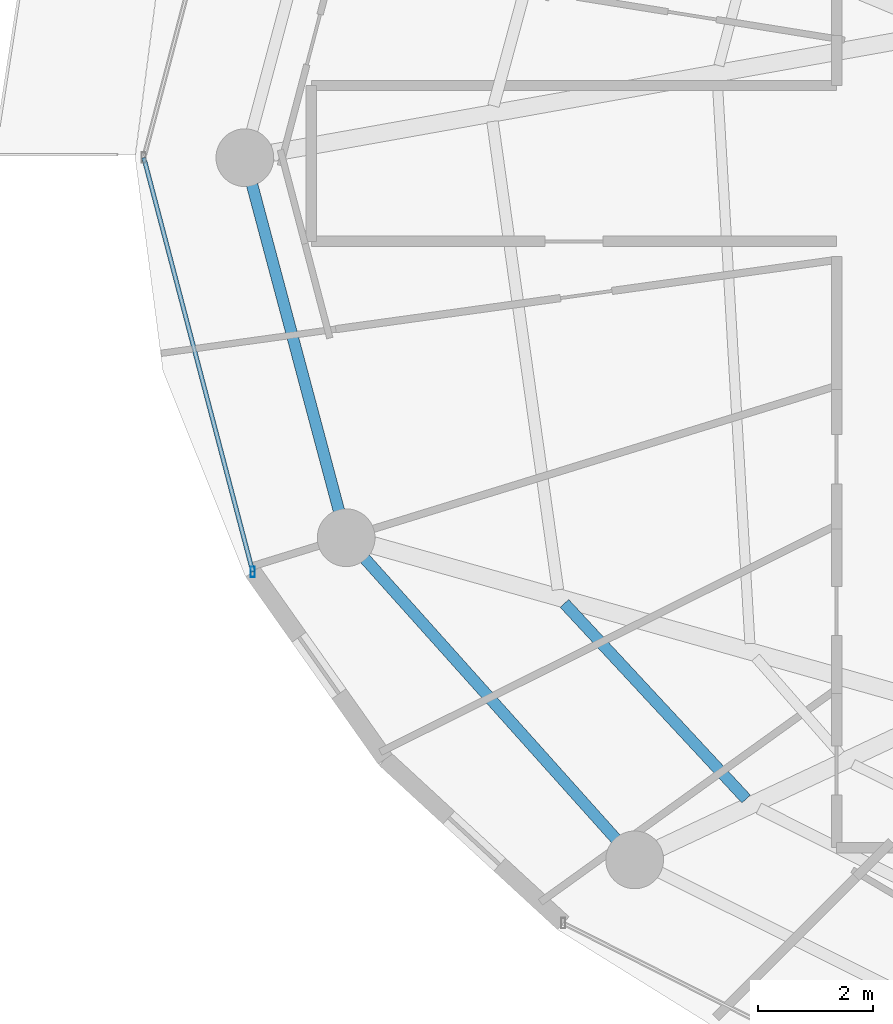
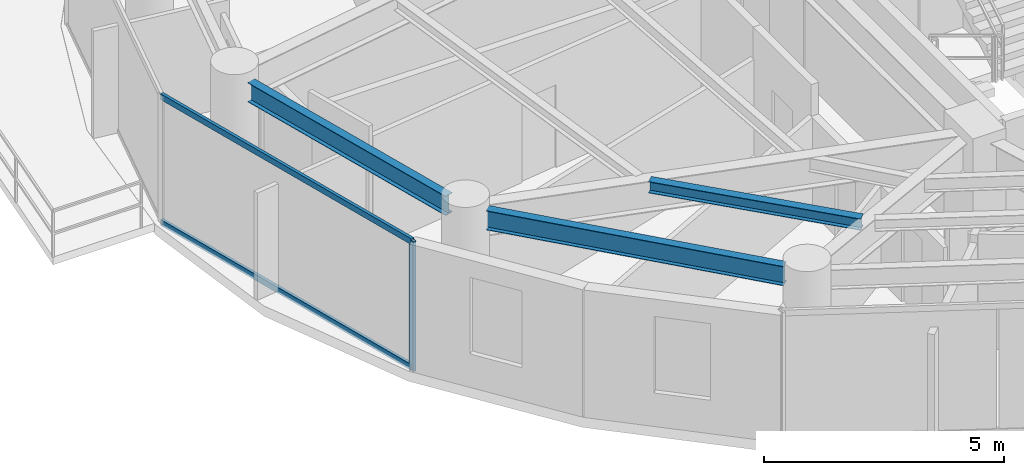
# One storey, part 3 of 29: 3 beams, 3 members, 1 element without a shape of its own.
"""IFC4 building model written with IfcOpenShell, lengths in metres."""

from ifc_helpers import new_model, si_unit, direction, frame, origin, origin_2d, place, context, subcontext, project, spatial, hollow_rectangle, i_section, extrude, material, material_profile, profile_set, type_object, element, aggregate, save


model = new_model("IFC4")

# Units and contexts
model_context = context("Model", 3, precision=1e-05, world=origin(), true_north=direction((0.0, 1.0)))
body_context = subcontext(model_context, "Body", "Model", "MODEL_VIEW")
ifc_project = project(units=[si_unit("LENGTHUNIT", "METRE"), si_unit("AREAUNIT", "SQUARE_METRE"), si_unit("VOLUMEUNIT", "CUBIC_METRE"), si_unit("PLANEANGLEUNIT", "RADIAN"), si_unit("MASSUNIT", "GRAM", prefix="KILO")], contexts=[model_context])

# Site, building, storey
site_placement = place(None, origin())
site = spatial("IfcSite", under=ifc_project, at=site_placement, CompositionType="ELEMENT")
building_placement = place(site_placement, origin())
building = spatial("IfcBuilding", under=site, at=building_placement, Name="Vorneva Point Tower", CompositionType="ELEMENT")
storey_placement = place(building_placement, frame((0.0, 0.0, 167.60009765625)))
storey = spatial("IfcBuildingStorey", under=building, at=storey_placement, Name="L45", CompositionType="ELEMENT", Elevation=167.60009765625)

# Beams
ifc_material_1 = material(Name="Steel S355", Category="steel")
ifc_material_profile_1 = material_profile(ifc_material_1, i_section(OverallWidth=0.199951171875, OverallDepth=0.291015625, WebThickness=0.008056640625, FlangeThickness=0.010986328125, at=origin_2d()), Name="30Sh1")
ifc_profile_set_1 = profile_set([ifc_material_profile_1], Name="Steel S355")
beam_type_1 = type_object("IfcBeamType", Name="BM-SEC-30Sh1", PredefinedType="BEAM", material=ifc_profile_set_1)
beam_1_placement = place(storey_placement, frame((20.4853515625, 18.279296875, 3.094482421875), z_axis=(0.680732567177, -0.732532027959, 0.0), x_axis=(0.732532027959, 0.680732567177, 0.0)))
element("IfcBeam", 1, at=beam_1_placement, inside=storey, type_object=beam_type_1, Name="L45 Secondary Floor Beam 1.10", PredefinedType="BEAM", context=body_context, shape_type="SweptSolid", body=[
    extrude(i_section(OverallWidth=0.199951171875, OverallDepth=0.291015625, WebThickness=0.008056640625, FlangeThickness=0.010986328125, at=origin_2d()), origin(), (0.0, 0.0, 1.0), 4.62353515625),
])
ifc_material_profile_2 = material_profile(ifc_material_1, i_section(OverallWidth=0.199951171875, OverallDepth=0.491943359375, WebThickness=0.0087890625, FlangeThickness=0.011962890625, at=origin_2d()), Name="50B1")
ifc_profile_set_2 = profile_set([ifc_material_profile_2], Name="Steel S355")
beam_type_2 = type_object("IfcBeamType", Name="BM-SPN-50B1", PredefinedType="SPANDREL", material=ifc_profile_set_2)
beam_2_placement = place(storey_placement, frame((15.074951171875, 25.531494140625, 2.993896484375), z_axis=(0.257550804648, -0.966264758245, 0.0), x_axis=(0.966264758245, 0.257550804648, 0.0)))
element("IfcBeam", 2, at=beam_2_placement, inside=storey, type_object=beam_type_2, Name="L45 Perimeter Spandrel Ring Beam 09", PredefinedType="SPANDREL", context=body_context, shape_type="SweptSolid", body=[
    extrude(i_section(OverallWidth=0.199951171875, OverallDepth=0.491943359375, WebThickness=0.0087890625, FlangeThickness=0.011962890625, at=origin_2d()), origin(), (0.0, 0.0, 1.0), 5.842041015625),
])
beam_3_placement = place(storey_placement, frame((17.028076171875, 19.056396484375, 2.993896484375), z_axis=(0.667111118975, -0.74495822362, 0.0), x_axis=(0.74495822362, 0.667111118975, 0.0)))
element("IfcBeam", 3, at=beam_3_placement, inside=storey, type_object=beam_type_2, Name="L45 Perimeter Spandrel Ring Beam 10", PredefinedType="SPANDREL", context=body_context, shape_type="SweptSolid", body=[
    extrude(i_section(OverallWidth=0.199951171875, OverallDepth=0.491943359375, WebThickness=0.0087890625, FlangeThickness=0.011962890625, at=origin_2d()), origin(), (0.0, 0.0, 1.0), 6.52001953125),
])

# Curtain wall, members
ifc_material_2 = material(Name="Pale anodised aluminium", Category="aluminium")
curtain_wall_type = type_object("IfcCurtainWallType", Name="CW-RES-SYS", PredefinedType="NOTDEFINED", material=ifc_material_2)
curtain_wall_placement = place(storey_placement, origin())
curtain_wall = element("IfcCurtainWall", 4, at=curtain_wall_placement, inside=storey, type_object=curtain_wall_type, Name="L45 Unitised Curtain Wall CW-L45-R03", PredefinedType="NOTDEFINED")
ifc_material_profile_3 = material_profile(ifc_material_2, hollow_rectangle(XDim=0.074951171875, YDim=0.179931640625, WallThickness=0.00390625, at=origin_2d()), Name="AL-MUL 180x75x4")
ifc_profile_set_3 = profile_set([ifc_material_profile_3], Name="Pale anodised aluminium")
member_type_1 = type_object("IfcMemberType", Name="CW-MUL-180", PredefinedType="MULLION", material=ifc_profile_set_3)
member_1_placement = place(storey_placement, frame((15.087890625, 18.82470703125, -0.0400390625), z_axis=(0.0, 0.0, 1.0), x_axis=(1.0, 0.0, 0.0)))
member_1 = element("IfcMember", 5, at=member_1_placement, type_object=member_type_1, Name="CW-L45-R03 Mullion 04", PredefinedType="MULLION", context=body_context, shape_type="SweptSolid", body=[
    extrude(hollow_rectangle(XDim=0.074951171875, YDim=0.179931640625, WallThickness=0.00390625, at=origin_2d()), origin(), (0.0, 0.0, 1.0), 3.31005859375),
])
ifc_material_profile_4 = material_profile(ifc_material_2, hollow_rectangle(XDim=0.074951171875, YDim=0.14990234375, WallThickness=0.00390625, at=origin_2d()), Name="AL-TRN 150x75x4")
ifc_profile_set_4 = profile_set([ifc_material_profile_4], Name="Pale anodised aluminium")
member_type_2 = type_object("IfcMemberType", Name="CW-TRN-150", PredefinedType="USERDEFINED", material=ifc_profile_set_4)
member_2_placement = place(storey_placement, frame((13.199951171875, 26.0, 0.02001953125), z_axis=(0.254456046293, -0.967084339913, 0.0), x_axis=(0.967084339913, 0.254456046293, 0.0)))
member_2 = element("IfcMember", 6, at=member_2_placement, type_object=member_type_2, Name="CW-L45-R03 Transom 03.1", ObjectType="TRANSOM", PredefinedType="USERDEFINED", context=body_context, shape_type="SweptSolid", body=[
    extrude(hollow_rectangle(XDim=0.074951171875, YDim=0.14990234375, WallThickness=0.00390625, at=origin_2d()), origin(), (0.0, 0.0, 1.0), 7.41943359375),
])
member_3_placement = place(storey_placement, frame((13.199951171875, 26.0, 3.219970703125), z_axis=(0.254456046293, -0.967084339913, 0.0), x_axis=(0.967084339913, 0.254456046293, 0.0)))
member_3 = element("IfcMember", 7, at=member_3_placement, type_object=member_type_2, Name="CW-L45-R03 Transom 03.2", ObjectType="TRANSOM", PredefinedType="USERDEFINED", context=body_context, shape_type="SweptSolid", body=[
    extrude(hollow_rectangle(XDim=0.074951171875, YDim=0.14990234375, WallThickness=0.00390625, at=origin_2d()), origin(), (0.0, 0.0, 1.0), 7.41943359375),
])
aggregate(curtain_wall, [member_1, member_2, member_3])

save(model, "model.ifc")
